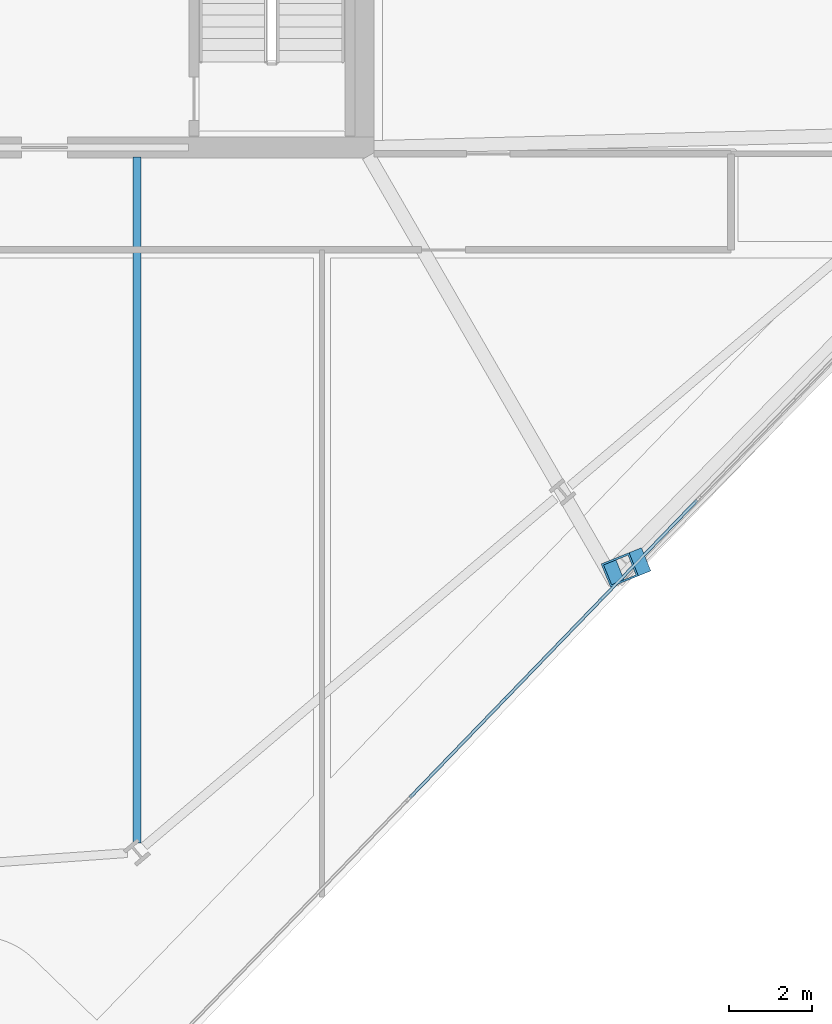
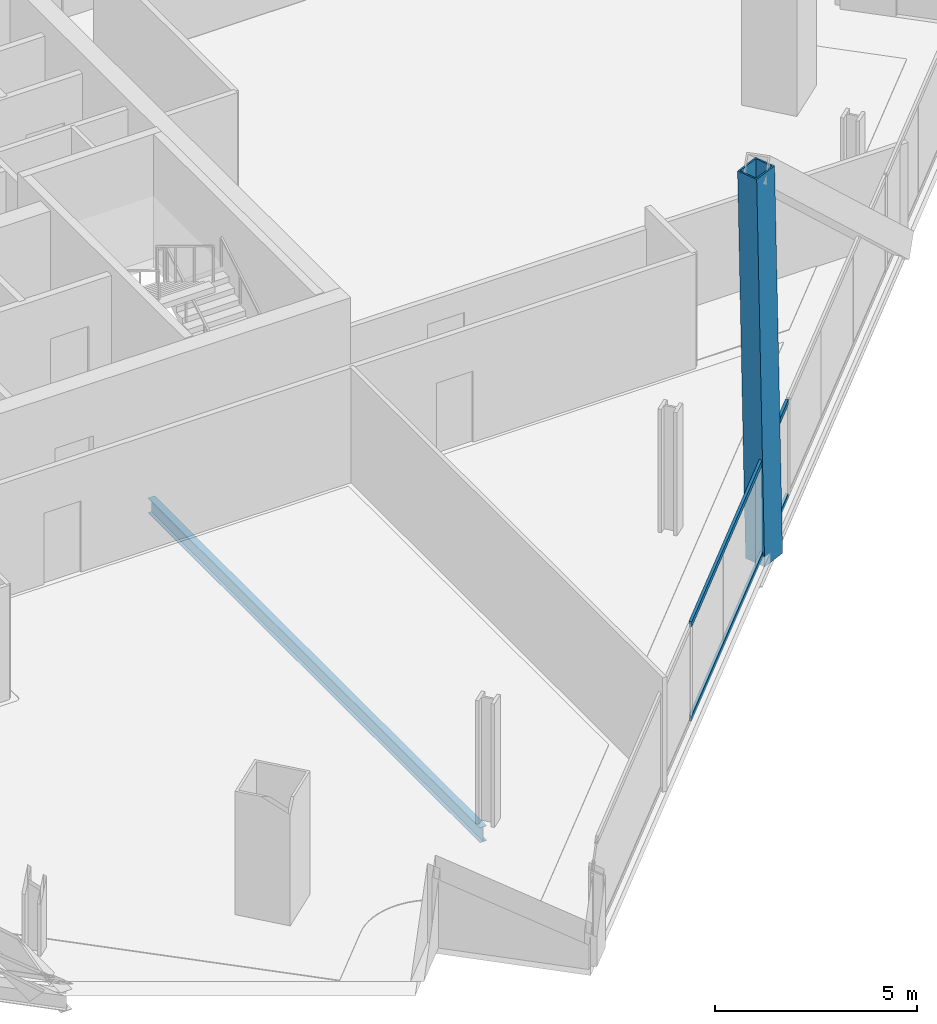
# One storey, part 8 of 33: 3 members, 1 beam, 1 element without a shape of its own.
"""IFC4 building model written with IfcOpenShell, lengths in metres."""

from ifc_helpers import new_model, si_unit, direction, frame, origin, origin_2d, place, context, subcontext, project, spatial, hollow_rectangle, i_section, extrude, material, material_profile, profile_set, type_object, element, aggregate, save


model = new_model("IFC4")

# Units and contexts
model_context = context("Model", 3, precision=1e-05, world=origin(), true_north=direction((0.0, 1.0)))
body_context = subcontext(model_context, "Body", "Model", "MODEL_VIEW")
ifc_project = project(units=[si_unit("LENGTHUNIT", "METRE"), si_unit("AREAUNIT", "SQUARE_METRE"), si_unit("VOLUMEUNIT", "CUBIC_METRE"), si_unit("PLANEANGLEUNIT", "RADIAN"), si_unit("MASSUNIT", "GRAM", prefix="KILO")], contexts=[model_context])

# Site, building, storey
site_placement = place(None, origin())
site = spatial("IfcSite", under=ifc_project, at=site_placement, CompositionType="ELEMENT")
building_placement = place(site_placement, origin())
building = spatial("IfcBuilding", under=site, at=building_placement, Name="Haldenkirk Collegiate Tower", CompositionType="ELEMENT")
storey_placement = place(building_placement, frame((0.0, 0.0, 181.949951171875)))
storey = spatial("IfcBuildingStorey", under=building, at=storey_placement, Name="L45", CompositionType="ELEMENT", Elevation=181.949951171875)

# Beam
ifc_material_1 = material(Name="Steel ASTM A992 Grade 50", Category="steel")
ifc_material_profile_1 = material_profile(ifc_material_1, i_section(OverallWidth=0.18994140625, OverallDepth=0.45703125, WebThickness=0.009033203125, FlangeThickness=0.014404296875, at=origin_2d()), Name="W18X50")
ifc_profile_set_1 = profile_set([ifc_material_profile_1], Name="Steel ASTM A992 Grade 50")
beam_type = type_object("IfcBeamType", Name="BM-JOIST-W18X50", PredefinedType="JOIST", material=ifc_profile_set_1)
beam_placement = place(storey_placement, frame((39.568603515625, 1.342529296875, -0.5185546875), z_axis=(0.0, 1.0, 0.0), x_axis=(-1.0, 0.0, 0.0)))
element("IfcBeam", 1, at=beam_placement, inside=storey, type_object=beam_type, Name="L45 composite floor joist 05", PredefinedType="JOIST", context=body_context, shape_type="SweptSolid", body=[
    extrude(i_section(OverallWidth=0.18994140625, OverallDepth=0.45703125, WebThickness=0.009033203125, FlangeThickness=0.014404296875, at=origin_2d()), origin(), (0.0, 0.0, 1.0), 16.427490234375),
])

# Curtain wall, members
ifc_material_2 = material(Name="Anodised architectural bronze aluminium", Category="aluminium")
curtain_wall_type = type_object("IfcCurtainWallType", Name="CW-SYS2-CONCAVE", PredefinedType="USERDEFINED", material=ifc_material_2)
curtain_wall_placement = place(storey_placement, origin())
curtain_wall = element("IfcCurtainWall", 2, at=curtain_wall_placement, inside=storey, type_object=curtain_wall_type, Name="L45 South concave recessed bronze-anodised curtain wall", ObjectType="UNITISED CURTAIN WALL", PredefinedType="USERDEFINED")
ifc_material_profile_2 = material_profile(ifc_material_2, hollow_rectangle(XDim=0.074951171875, YDim=0.159912109375, WallThickness=0.0048828125, at=origin_2d()), Name="CW-TRN-02")
ifc_profile_set_2 = profile_set([ifc_material_profile_2], Name="Anodised architectural bronze aluminium")
member_type_1 = type_object("IfcMemberType", Name="CW-TRN-02", PredefinedType="USERDEFINED", material=ifc_profile_set_2)
member_1_placement = place(storey_placement, frame((52.982666015625, 9.5478515625, 0.03759765625), z_axis=(-0.694656564069, -0.719341544744, 0.0), x_axis=(0.719341544744, -0.694656564069, 0.0)))
member_1 = element("IfcMember", 3, at=member_1_placement, type_object=member_type_1, Name="CW-02 transom 3.1", ObjectType="TRANSOM", PredefinedType="USERDEFINED", context=body_context, shape_type="SweptSolid", body=[
    extrude(hollow_rectangle(XDim=0.074951171875, YDim=0.159912109375, WallThickness=0.0048828125, at=origin_2d()), origin(), (0.0, 0.0, 1.0), 9.900146484375),
])
member_2_placement = place(storey_placement, frame((52.982666015625, 9.5478515625, 2.87353515625), z_axis=(-0.694656564069, -0.719341544744, 0.0), x_axis=(0.719341544744, -0.694656564069, 0.0)))
member_2 = element("IfcMember", 4, at=member_2_placement, type_object=member_type_1, Name="CW-02 transom 3.2", ObjectType="TRANSOM", PredefinedType="USERDEFINED", context=body_context, shape_type="SweptSolid", body=[
    extrude(hollow_rectangle(XDim=0.074951171875, YDim=0.159912109375, WallThickness=0.0048828125, at=origin_2d()), origin(), (0.0, 0.0, 1.0), 9.900146484375),
])
aggregate(curtain_wall, [member_1, member_2])

# Member
ifc_material_3 = material(Name="Steel ASTM A572 Grade 50", Category="steel")
ifc_material_profile_3 = material_profile(ifc_material_3, hollow_rectangle(XDim=0.60009765625, YDim=0.719970703125, WallThickness=0.044921875, at=origin_2d()), Name="BOX720X600X45")
ifc_profile_set_3 = profile_set([ifc_material_profile_3], Name="Steel ASTM A572 Grade 50")
member_type_2 = type_object("IfcMemberType", Name="MBR-MEGABRACE-BOX720X600X45", PredefinedType="BRACE", material=ifc_profile_set_3)
member_3_placement = place(storey_placement, frame((51.43310546875, 8.000732421875, -0.300048828125), z_axis=(-0.025041731556, -0.010086538305, 0.99963552029), x_axis=(0.373619936646, -0.927581879373, 0.0)))
element("IfcMember", 5, at=member_3_placement, inside=storey, type_object=member_type_2, Name="Perimeter Mega Brace Z3 L45-L47 SL", PredefinedType="BRACE", context=body_context, shape_type="SweptSolid", body=[
    extrude(hollow_rectangle(XDim=0.60009765625, YDim=0.719970703125, WallThickness=0.044921875, at=origin_2d()), origin(), (0.0, 0.0, 1.0), 11.884521484375),
])

save(model, "model.ifc")
